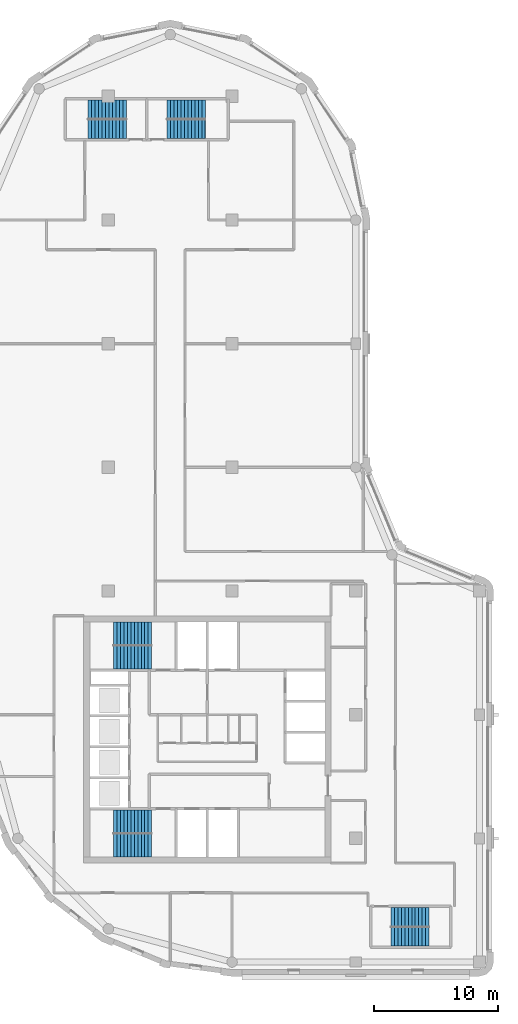
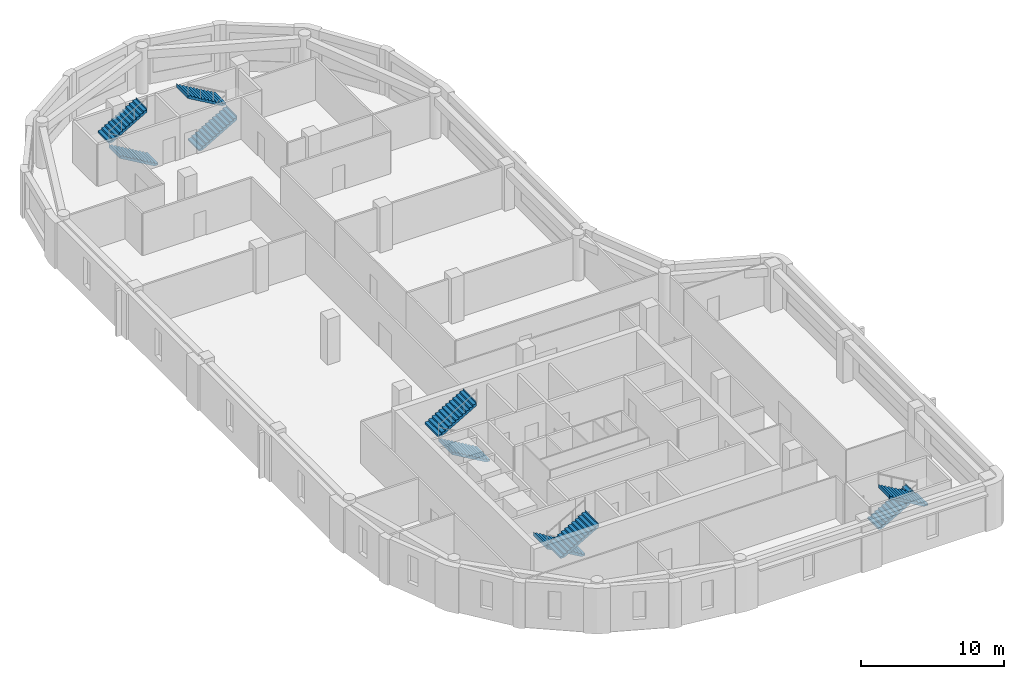
# One storey, part 6 of 8: 10 stair flights, 5 elements without a shape of their own.
"""IFC4 building model written with IfcOpenShell, lengths in metres."""

from ifc_helpers import new_model, si_unit, direction, frame, origin, place, context, subcontext, project, spatial, polyline, outline, extrude, material, type_object, element, aggregate, save


model = new_model("IFC4")

# Units and contexts
model_context = context("Model", 3, precision=1e-05, world=origin(), true_north=direction((0.0, 1.0)))
body_context = subcontext(model_context, "Body", "Model", "MODEL_VIEW")
ifc_project = project(units=[si_unit("LENGTHUNIT", "METRE"), si_unit("AREAUNIT", "SQUARE_METRE"), si_unit("VOLUMEUNIT", "CUBIC_METRE"), si_unit("PLANEANGLEUNIT", "RADIAN"), si_unit("MASSUNIT", "GRAM", prefix="KILO")], contexts=[model_context])

# Site, building, storey
site_placement = place(None, origin())
site = spatial("IfcSite", under=ifc_project, at=site_placement, CompositionType="ELEMENT")
building_placement = place(site_placement, origin())
building = spatial("IfcBuilding", under=site, at=building_placement, Name="Qaws Garden Tower", CompositionType="ELEMENT")
storey_placement = place(building_placement, frame((0.0, 0.0, 298.199951171875)))
storey = spatial("IfcBuildingStorey", under=building, at=storey_placement, Name="L72", CompositionType="ELEMENT", Elevation=298.199951171875)

# Stair, stair flights
ifc_material_1 = material(Name="Concrete C40", Category="concrete")
stair_type_1 = type_object("IfcStairType", Name="Exit stair 1350", PredefinedType="HALF_TURN_STAIR", material=ifc_material_1)
placement = place(storey_placement, origin())
stair_1 = element("IfcStair", 1, at=placement, inside=storey, type_object=stair_type_1, Name="Stair 5", PredefinedType="HALF_TURN_STAIR")
ifc_material_2 = material(Name="Concrete C40", Category="concrete")
stair_flight_type_1 = type_object("IfcStairFlightType", Name="Stair flight 1350", PredefinedType="STRAIGHT", material=ifc_material_2)
stair_flight_1_placement = place(storey_placement, frame((32.85009765625, 3.625, 0.0), z_axis=(0.0, 0.0, 1.0), x_axis=(1.0, 0.0, 0.0)))
stair_flight_1 = element("IfcStairFlight", 2, at=stair_flight_1_placement, type_object=stair_flight_type_1, Name="ST5 flight 1", NumberOfRisers=12, NumberOfTreads=11, PredefinedType="STRAIGHT", RiserHeight=0.1625, TreadLength=0.28, context=body_context, shape_type="SweptSolid", body=[
    extrude(outline(polyline([(-0.0029296875, 0.0), (-0.0029296875, 0.16259765625), (0.0, 0.16259765625), (0.280029296875, 0.16259765625), (0.280029296875, 0.324951171875), (0.56005859375, 0.324951171875), (0.56005859375, 0.487548828125), (0.840087890625, 0.487548828125), (0.840087890625, 0.64990234375), (1.1201171875, 0.64990234375), (1.1201171875, 0.8125), (1.39990234375, 0.8125), (1.39990234375, 0.97509765625), (1.679931640625, 0.97509765625), (1.679931640625, 1.137451171875), (1.9599609375, 1.137451171875), (1.9599609375, 1.300048828125), (2.239990234375, 1.300048828125), (2.239990234375, 1.46240234375), (2.52001953125, 1.46240234375), (2.52001953125, 1.625), (2.800048828125, 1.625), (2.800048828125, 1.78759765625), (3.080078125, 1.78759765625), (3.080078125, 1.949951171875), (3.0830078125, 1.949951171875), (3.0830078125, 1.6142578125), (3.080078125, 1.6142578125), (0.298583984375, 0.0), (-0.0029296875, 0.0)])), frame((0.0, 0.77490234375, 0.0), z_axis=(0.0, -1.0, 0.0), x_axis=(1.0, 0.0, 0.0)), (0.0, 0.0, 1.0), 1.550048828125),
])
stair_flight_2_placement = place(storey_placement, frame((35.929931640625, 2.074951171875, 1.949951171875), z_axis=(0.0, 0.0, 1.0), x_axis=(-1.0, 0.0, 0.0)))
stair_flight_2 = element("IfcStairFlight", 3, at=stair_flight_2_placement, type_object=stair_flight_type_1, Name="ST5 flight 2", NumberOfRisers=12, NumberOfTreads=11, PredefinedType="STRAIGHT", RiserHeight=0.1625, TreadLength=0.28, context=body_context, shape_type="SweptSolid", body=[
    extrude(outline(polyline([(-0.0029296875, 0.0), (-0.0029296875, 0.16259765625), (0.0, 0.16259765625), (0.280029296875, 0.16259765625), (0.280029296875, 0.324951171875), (0.56005859375, 0.324951171875), (0.56005859375, 0.487548828125), (0.840087890625, 0.487548828125), (0.840087890625, 0.64990234375), (1.1201171875, 0.64990234375), (1.1201171875, 0.8125), (1.39990234375, 0.8125), (1.39990234375, 0.97509765625), (1.679931640625, 0.97509765625), (1.679931640625, 1.137451171875), (1.9599609375, 1.137451171875), (1.9599609375, 1.300048828125), (2.239990234375, 1.300048828125), (2.239990234375, 1.46240234375), (2.52001953125, 1.46240234375), (2.52001953125, 1.625), (2.800048828125, 1.625), (2.800048828125, 1.78759765625), (3.080078125, 1.78759765625), (3.080078125, 1.949951171875), (3.0830078125, 1.949951171875), (3.0830078125, 1.6142578125), (3.080078125, 1.6142578125), (0.298583984375, 0.0), (-0.0029296875, 0.0)])), frame((0.0, 0.77490234375, 0.0), z_axis=(0.0, -1.0, 0.0), x_axis=(1.0, 0.0, 0.0)), (0.0, 0.0, 1.0), 1.550048828125),
])
aggregate(stair_1, [stair_flight_1, stair_flight_2])

stair_2 = element("IfcStair", 4, at=placement, inside=storey, type_object=stair_type_1, Name="Stair 6", PredefinedType="HALF_TURN_STAIR")
stair_flight_3_placement = place(storey_placement, frame((11.449951171875, 67.375, 0.0), z_axis=(0.0, 0.0, 1.0), x_axis=(-1.0, 0.0, 0.0)))
stair_flight_3 = element("IfcStairFlight", 5, at=stair_flight_3_placement, type_object=stair_flight_type_1, Name="ST6 flight 1", NumberOfRisers=12, NumberOfTreads=11, PredefinedType="STRAIGHT", RiserHeight=0.1625, TreadLength=0.28, context=body_context, shape_type="SweptSolid", body=[
    extrude(outline(polyline([(-0.0029296875, 0.0), (-0.0029296875, 0.16259765625), (0.0, 0.16259765625), (0.280029296875, 0.16259765625), (0.280029296875, 0.324951171875), (0.56005859375, 0.324951171875), (0.56005859375, 0.487548828125), (0.840087890625, 0.487548828125), (0.840087890625, 0.64990234375), (1.1201171875, 0.64990234375), (1.1201171875, 0.8125), (1.39990234375, 0.8125), (1.39990234375, 0.97509765625), (1.679931640625, 0.97509765625), (1.679931640625, 1.137451171875), (1.9599609375, 1.137451171875), (1.9599609375, 1.300048828125), (2.239990234375, 1.300048828125), (2.239990234375, 1.46240234375), (2.52001953125, 1.46240234375), (2.52001953125, 1.625), (2.800048828125, 1.625), (2.800048828125, 1.78759765625), (3.080078125, 1.78759765625), (3.080078125, 1.949951171875), (3.0830078125, 1.949951171875), (3.0830078125, 1.6142578125), (3.080078125, 1.6142578125), (0.298583984375, 0.0), (-0.0029296875, 0.0)])), frame((0.0, 0.77490234375, 0.0), z_axis=(0.0, -1.0, 0.0), x_axis=(1.0, 0.0, 0.0)), (0.0, 0.0, 1.0), 1.550048828125),
])
stair_flight_4_placement = place(storey_placement, frame((8.3701171875, 68.925048828125, 1.949951171875), z_axis=(0.0, 0.0, 1.0), x_axis=(1.0, 0.0, 0.0)))
stair_flight_4 = element("IfcStairFlight", 6, at=stair_flight_4_placement, type_object=stair_flight_type_1, Name="ST6 flight 2", NumberOfRisers=12, NumberOfTreads=11, PredefinedType="STRAIGHT", RiserHeight=0.1625, TreadLength=0.28, context=body_context, shape_type="SweptSolid", body=[
    extrude(outline(polyline([(-0.0029296875, 0.0), (-0.0029296875, 0.16259765625), (0.0, 0.16259765625), (0.280029296875, 0.16259765625), (0.280029296875, 0.324951171875), (0.56005859375, 0.324951171875), (0.56005859375, 0.487548828125), (0.840087890625, 0.487548828125), (0.840087890625, 0.64990234375), (1.1201171875, 0.64990234375), (1.1201171875, 0.8125), (1.39990234375, 0.8125), (1.39990234375, 0.97509765625), (1.679931640625, 0.97509765625), (1.679931640625, 1.137451171875), (1.9599609375, 1.137451171875), (1.9599609375, 1.300048828125), (2.239990234375, 1.300048828125), (2.239990234375, 1.46240234375), (2.52001953125, 1.46240234375), (2.52001953125, 1.625), (2.800048828125, 1.625), (2.800048828125, 1.78759765625), (3.080078125, 1.78759765625), (3.080078125, 1.949951171875), (3.0830078125, 1.949951171875), (3.0830078125, 1.6142578125), (3.080078125, 1.6142578125), (0.298583984375, 0.0), (-0.0029296875, 0.0)])), frame((0.0, 0.77490234375, 0.0), z_axis=(0.0, -1.0, 0.0), x_axis=(1.0, 0.0, 0.0)), (0.0, 0.0, 1.0), 1.550048828125),
])
aggregate(stair_2, [stair_flight_3, stair_flight_4])

stair_3 = element("IfcStair", 7, at=placement, inside=storey, type_object=stair_type_1, Name="Stair 7", PredefinedType="HALF_TURN_STAIR")
stair_flight_5_placement = place(storey_placement, frame((14.75, 67.375, 0.0), z_axis=(0.0, 0.0, 1.0), x_axis=(1.0, 0.0, 0.0)))
stair_flight_5 = element("IfcStairFlight", 8, at=stair_flight_5_placement, type_object=stair_flight_type_1, Name="ST7 flight 1", NumberOfRisers=12, NumberOfTreads=11, PredefinedType="STRAIGHT", RiserHeight=0.1625, TreadLength=0.28, context=body_context, shape_type="SweptSolid", body=[
    extrude(outline(polyline([(-0.0029296875, 0.0), (-0.0029296875, 0.16259765625), (0.0, 0.16259765625), (0.280029296875, 0.16259765625), (0.280029296875, 0.324951171875), (0.56005859375, 0.324951171875), (0.56005859375, 0.487548828125), (0.840087890625, 0.487548828125), (0.840087890625, 0.64990234375), (1.1201171875, 0.64990234375), (1.1201171875, 0.8125), (1.39990234375, 0.8125), (1.39990234375, 0.97509765625), (1.679931640625, 0.97509765625), (1.679931640625, 1.137451171875), (1.9599609375, 1.137451171875), (1.9599609375, 1.300048828125), (2.239990234375, 1.300048828125), (2.239990234375, 1.46240234375), (2.52001953125, 1.46240234375), (2.52001953125, 1.625), (2.800048828125, 1.625), (2.800048828125, 1.78759765625), (3.080078125, 1.78759765625), (3.080078125, 1.949951171875), (3.0830078125, 1.949951171875), (3.0830078125, 1.6142578125), (3.080078125, 1.6142578125), (0.298583984375, 0.0), (-0.0029296875, 0.0)])), frame((0.0, 0.77490234375, 0.0), z_axis=(0.0, -1.0, 0.0), x_axis=(1.0, 0.0, 0.0)), (0.0, 0.0, 1.0), 1.550048828125),
])
stair_flight_6_placement = place(storey_placement, frame((17.830078125, 68.925048828125, 1.949951171875), z_axis=(0.0, 0.0, 1.0), x_axis=(-1.0, 0.0, 0.0)))
stair_flight_6 = element("IfcStairFlight", 9, at=stair_flight_6_placement, type_object=stair_flight_type_1, Name="ST7 flight 2", NumberOfRisers=12, NumberOfTreads=11, PredefinedType="STRAIGHT", RiserHeight=0.1625, TreadLength=0.28, context=body_context, shape_type="SweptSolid", body=[
    extrude(outline(polyline([(-0.0029296875, 0.0), (-0.0029296875, 0.16259765625), (0.0, 0.16259765625), (0.280029296875, 0.16259765625), (0.280029296875, 0.324951171875), (0.56005859375, 0.324951171875), (0.56005859375, 0.487548828125), (0.840087890625, 0.487548828125), (0.840087890625, 0.64990234375), (1.1201171875, 0.64990234375), (1.1201171875, 0.8125), (1.39990234375, 0.8125), (1.39990234375, 0.97509765625), (1.679931640625, 0.97509765625), (1.679931640625, 1.137451171875), (1.9599609375, 1.137451171875), (1.9599609375, 1.300048828125), (2.239990234375, 1.300048828125), (2.239990234375, 1.46240234375), (2.52001953125, 1.46240234375), (2.52001953125, 1.625), (2.800048828125, 1.625), (2.800048828125, 1.78759765625), (3.080078125, 1.78759765625), (3.080078125, 1.949951171875), (3.0830078125, 1.949951171875), (3.0830078125, 1.6142578125), (3.080078125, 1.6142578125), (0.298583984375, 0.0), (-0.0029296875, 0.0)])), frame((0.0, 0.77490234375, 0.0), z_axis=(0.0, -1.0, 0.0), x_axis=(1.0, 0.0, 0.0)), (0.0, 0.0, 1.0), 1.550048828125),
])
aggregate(stair_3, [stair_flight_5, stair_flight_6])

ifc_material_3 = material(Name="Concrete C40", Category="concrete")
stair_type_2 = type_object("IfcStairType", Name="Exit stair 1500", PredefinedType="HALF_TURN_STAIR", material=ifc_material_3)
stair_4 = element("IfcStair", 10, at=placement, inside=storey, type_object=stair_type_2, Name="Stair 1", PredefinedType="HALF_TURN_STAIR")
ifc_material_4 = material(Name="Concrete C40", Category="concrete")
stair_flight_type_2 = type_object("IfcStairFlightType", Name="Stair flight 1500", PredefinedType="STRAIGHT", material=ifc_material_4)
stair_flight_7_placement = place(storey_placement, frame((13.5, 11.35009765625, 0.0), z_axis=(0.0, 0.0, 1.0), x_axis=(-1.0, 0.0, 0.0)))
stair_flight_7 = element("IfcStairFlight", 11, at=stair_flight_7_placement, type_object=stair_flight_type_2, Name="ST1 flight 1", NumberOfRisers=12, NumberOfTreads=11, PredefinedType="STRAIGHT", RiserHeight=0.1625, TreadLength=0.28, context=body_context, shape_type="SweptSolid", body=[
    extrude(outline(polyline([(-0.0029296875, 0.0), (-0.0029296875, 0.16259765625), (0.0, 0.16259765625), (0.280029296875, 0.16259765625), (0.280029296875, 0.324951171875), (0.56005859375, 0.324951171875), (0.56005859375, 0.487548828125), (0.840087890625, 0.487548828125), (0.840087890625, 0.64990234375), (1.1201171875, 0.64990234375), (1.1201171875, 0.8125), (1.39990234375, 0.8125), (1.39990234375, 0.97509765625), (1.679931640625, 0.97509765625), (1.679931640625, 1.137451171875), (1.9599609375, 1.137451171875), (1.9599609375, 1.300048828125), (2.239990234375, 1.300048828125), (2.239990234375, 1.46240234375), (2.52001953125, 1.46240234375), (2.52001953125, 1.625), (2.800048828125, 1.625), (2.800048828125, 1.78759765625), (3.080078125, 1.78759765625), (3.080078125, 1.949951171875), (3.0830078125, 1.949951171875), (3.0830078125, 1.6142578125), (3.080078125, 1.6142578125), (0.298583984375, 0.0), (-0.0029296875, 0.0)])), frame((0.0, 0.949951171875, 0.0), z_axis=(0.0, -1.0, 0.0), x_axis=(1.0, 0.0, 0.0)), (0.0, 0.0, 1.0), 1.89990234375),
])
stair_flight_8_placement = place(storey_placement, frame((10.419921875, 9.449951171875, 1.949951171875), z_axis=(0.0, 0.0, 1.0), x_axis=(1.0, 0.0, 0.0)))
stair_flight_8 = element("IfcStairFlight", 12, at=stair_flight_8_placement, type_object=stair_flight_type_2, Name="ST1 flight 2", NumberOfRisers=12, NumberOfTreads=11, PredefinedType="STRAIGHT", RiserHeight=0.1625, TreadLength=0.28, context=body_context, shape_type="SweptSolid", body=[
    extrude(outline(polyline([(-0.0029296875, 0.0), (-0.0029296875, 0.16259765625), (0.0, 0.16259765625), (0.280029296875, 0.16259765625), (0.280029296875, 0.324951171875), (0.56005859375, 0.324951171875), (0.56005859375, 0.487548828125), (0.840087890625, 0.487548828125), (0.840087890625, 0.64990234375), (1.1201171875, 0.64990234375), (1.1201171875, 0.8125), (1.39990234375, 0.8125), (1.39990234375, 0.97509765625), (1.679931640625, 0.97509765625), (1.679931640625, 1.137451171875), (1.9599609375, 1.137451171875), (1.9599609375, 1.300048828125), (2.239990234375, 1.300048828125), (2.239990234375, 1.46240234375), (2.52001953125, 1.46240234375), (2.52001953125, 1.625), (2.800048828125, 1.625), (2.800048828125, 1.78759765625), (3.080078125, 1.78759765625), (3.080078125, 1.949951171875), (3.0830078125, 1.949951171875), (3.0830078125, 1.6142578125), (3.080078125, 1.6142578125), (0.298583984375, 0.0), (-0.0029296875, 0.0)])), frame((0.0, 0.949951171875, 0.0), z_axis=(0.0, -1.0, 0.0), x_axis=(1.0, 0.0, 0.0)), (0.0, 0.0, 1.0), 1.89990234375),
])
aggregate(stair_4, [stair_flight_7, stair_flight_8])

stair_5 = element("IfcStair", 13, at=placement, inside=storey, type_object=stair_type_2, Name="Stair 4", PredefinedType="HALF_TURN_STAIR")
stair_flight_9_placement = place(storey_placement, frame((13.5, 24.64990234375, 0.0), z_axis=(0.0, 0.0, 1.0), x_axis=(-1.0, 0.0, 0.0)))
stair_flight_9 = element("IfcStairFlight", 14, at=stair_flight_9_placement, type_object=stair_flight_type_2, Name="ST4 flight 1", NumberOfRisers=12, NumberOfTreads=11, PredefinedType="STRAIGHT", RiserHeight=0.1625, TreadLength=0.28, context=body_context, shape_type="SweptSolid", body=[
    extrude(outline(polyline([(-0.0029296875, 0.0), (-0.0029296875, 0.16259765625), (0.0, 0.16259765625), (0.280029296875, 0.16259765625), (0.280029296875, 0.324951171875), (0.56005859375, 0.324951171875), (0.56005859375, 0.487548828125), (0.840087890625, 0.487548828125), (0.840087890625, 0.64990234375), (1.1201171875, 0.64990234375), (1.1201171875, 0.8125), (1.39990234375, 0.8125), (1.39990234375, 0.97509765625), (1.679931640625, 0.97509765625), (1.679931640625, 1.137451171875), (1.9599609375, 1.137451171875), (1.9599609375, 1.300048828125), (2.239990234375, 1.300048828125), (2.239990234375, 1.46240234375), (2.52001953125, 1.46240234375), (2.52001953125, 1.625), (2.800048828125, 1.625), (2.800048828125, 1.78759765625), (3.080078125, 1.78759765625), (3.080078125, 1.949951171875), (3.0830078125, 1.949951171875), (3.0830078125, 1.6142578125), (3.080078125, 1.6142578125), (0.298583984375, 0.0), (-0.0029296875, 0.0)])), frame((0.0, 0.94482421875, 0.0), z_axis=(0.0, -1.0, 0.0), x_axis=(1.0, 0.0, 0.0)), (0.0, 0.0, 1.0), 1.889892578125),
])
stair_flight_10_placement = place(storey_placement, frame((10.419921875, 26.550048828125, 1.949951171875), z_axis=(0.0, 0.0, 1.0), x_axis=(1.0, 0.0, 0.0)))
stair_flight_10 = element("IfcStairFlight", 15, at=stair_flight_10_placement, type_object=stair_flight_type_2, Name="ST4 flight 2", NumberOfRisers=12, NumberOfTreads=11, PredefinedType="STRAIGHT", RiserHeight=0.1625, TreadLength=0.28, context=body_context, shape_type="SweptSolid", body=[
    extrude(outline(polyline([(-0.0029296875, 0.0), (-0.0029296875, 0.16259765625), (0.0, 0.16259765625), (0.280029296875, 0.16259765625), (0.280029296875, 0.324951171875), (0.56005859375, 0.324951171875), (0.56005859375, 0.487548828125), (0.840087890625, 0.487548828125), (0.840087890625, 0.64990234375), (1.1201171875, 0.64990234375), (1.1201171875, 0.8125), (1.39990234375, 0.8125), (1.39990234375, 0.97509765625), (1.679931640625, 0.97509765625), (1.679931640625, 1.137451171875), (1.9599609375, 1.137451171875), (1.9599609375, 1.300048828125), (2.239990234375, 1.300048828125), (2.239990234375, 1.46240234375), (2.52001953125, 1.46240234375), (2.52001953125, 1.625), (2.800048828125, 1.625), (2.800048828125, 1.78759765625), (3.080078125, 1.78759765625), (3.080078125, 1.949951171875), (3.0830078125, 1.949951171875), (3.0830078125, 1.6142578125), (3.080078125, 1.6142578125), (0.298583984375, 0.0), (-0.0029296875, 0.0)])), frame((0.0, 0.94482421875, 0.0), z_axis=(0.0, -1.0, 0.0), x_axis=(1.0, 0.0, 0.0)), (0.0, 0.0, 1.0), 1.889892578125),
])
aggregate(stair_5, [stair_flight_9, stair_flight_10])

save(model, "model.ifc")
